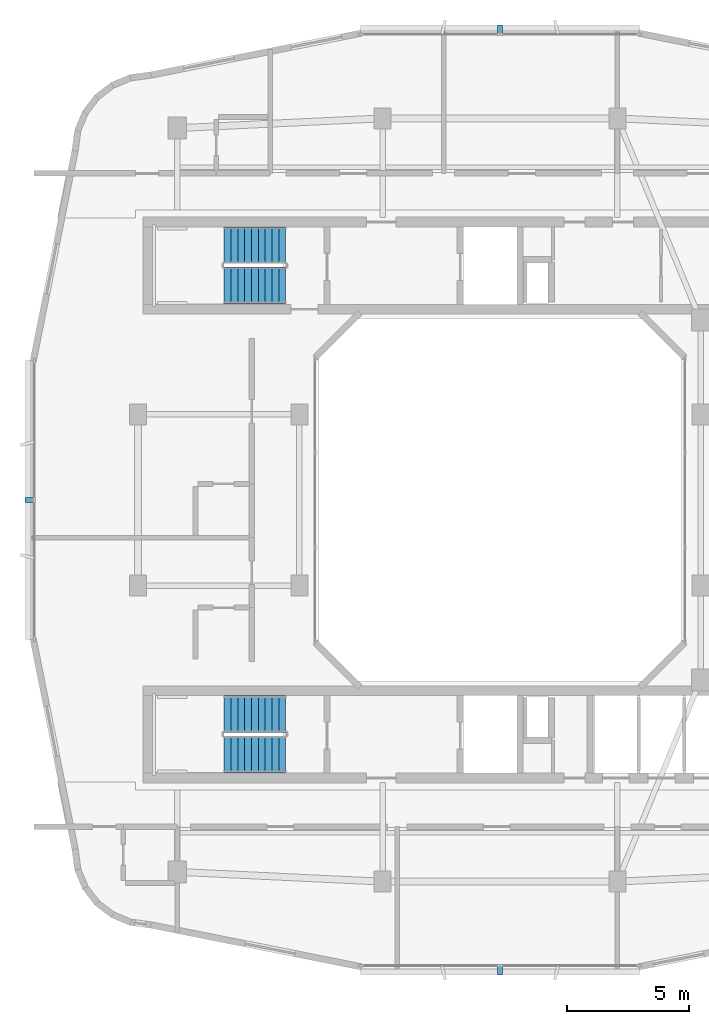
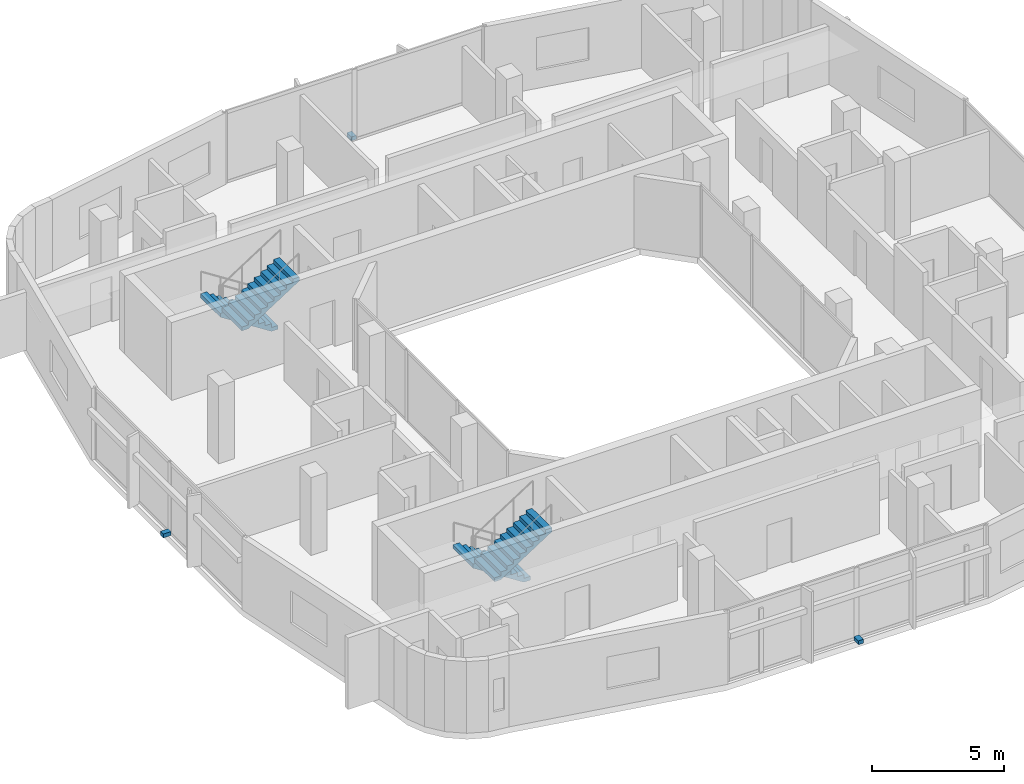
# One storey, part 10 of 14: 4 stair flights, 3 discrete accessories, 2 elements without a shape of their own.
"""IFC4 building model written with IfcOpenShell, lengths in metres."""

from ifc_helpers import new_model, si_unit, derived_unit, direction, frame, origin, origin_2d, place, context, subcontext, project, spatial, polyline, rectangle, outline, extrude, material, type_object, element, aggregate, save


model = new_model("IFC4")

# Units and contexts
model_context = context("Model", 3, precision=1e-05, world=origin(), true_north=direction((0.0, 1.0)))
body_context = subcontext(model_context, "Body", "Model", "MODEL_VIEW")
ifc_project = project(units=[si_unit("LENGTHUNIT", "METRE"), si_unit("AREAUNIT", "SQUARE_METRE"), si_unit("VOLUMEUNIT", "CUBIC_METRE"), si_unit("PLANEANGLEUNIT", "RADIAN"), si_unit("MASSUNIT", "GRAM", prefix="KILO"), derived_unit("THERMALTRANSMITTANCEUNIT", [(si_unit("POWERUNIT", "WATT"), 1), (si_unit("LENGTHUNIT", "METRE"), -2), (si_unit("THERMODYNAMICTEMPERATUREUNIT", "KELVIN"), -1)])], contexts=[model_context])

# Site, building, storey
site_placement = place(None, origin())
site = spatial("IfcSite", under=ifc_project, at=site_placement, CompositionType="ELEMENT")
building_placement = place(site_placement, origin())
building = spatial("IfcBuilding", under=site, at=building_placement, Name="Kivonza Crest Hotel", CompositionType="ELEMENT")
storey_placement = place(building_placement, frame((0.0, 0.0, 209.89990234375)))
storey = spatial("IfcBuildingStorey", under=building, at=storey_placement, Name="L57", CompositionType="ELEMENT", Elevation=209.89990234375)

# Stair, stair flights
ifc_material_1 = material(Name="Concrete C40/50", Category="concrete")
stair_type = type_object("IfcStairType", Name="ST-DL-20R", PredefinedType="HALF_TURN_STAIR", material=ifc_material_1)
stair_1_placement = place(storey_placement, origin())
stair_1 = element("IfcStair", 1, at=stair_1_placement, inside=storey, type_object=stair_type, Name="L57 Protected Exit Stair ST-T1-N", PredefinedType="HALF_TURN_STAIR")
stair_flight_type = type_object("IfcStairFlightType", Name="SFL-RC-10R", PredefinedType="STRAIGHT", material=ifc_material_1)
stair_flight_1_placement = place(storey_placement, frame((12.239990234375, 35.409912109375, 0.0), z_axis=(0.0, 0.0, 1.0), x_axis=(-1.0, 0.0, 0.0)))
stair_flight_1 = element("IfcStairFlight", 2, at=stair_flight_1_placement, type_object=stair_flight_type, Name="ST-T1-N flight 1", NumberOfRisers=10, NumberOfTreads=9, PredefinedType="STRAIGHT", RiserHeight=0.18, TreadLength=0.28, context=body_context, shape_type="SweptSolid", body=[
    extrude(outline(polyline([(0.0, 0.0), (0.0, 0.179931640625), (0.280029296875, 0.179931640625), (0.280029296875, 0.360107421875), (0.56005859375, 0.360107421875), (0.56005859375, 0.5400390625), (0.840087890625, 0.5400390625), (0.840087890625, 0.719970703125), (1.1201171875, 0.719970703125), (1.1201171875, 0.89990234375), (1.39990234375, 0.89990234375), (1.39990234375, 1.080078125), (1.679931640625, 1.080078125), (1.679931640625, 1.260009765625), (1.9599609375, 1.260009765625), (1.9599609375, 1.43994140625), (2.239990234375, 1.43994140625), (2.239990234375, 1.6201171875), (2.52001953125, 1.6201171875), (2.52001953125, 1.800048828125), (2.52001953125, 1.44189453125), (0.277099609375, 0.0), (0.0, 0.0)])), frame((0.0, 0.75, 0.0), z_axis=(0.0, -1.0, 0.0), x_axis=(1.0, 0.0, 0.0)), (0.0, 0.0, 1.0), 1.5),
])
stair_flight_2_placement = place(storey_placement, frame((9.719970703125, 33.77001953125, 1.800048828125), z_axis=(0.0, 0.0, 1.0), x_axis=(1.0, 0.0, 0.0)))
stair_flight_2 = element("IfcStairFlight", 3, at=stair_flight_2_placement, type_object=stair_flight_type, Name="ST-T1-N flight 2", NumberOfRisers=10, NumberOfTreads=9, PredefinedType="STRAIGHT", RiserHeight=0.18, TreadLength=0.28, context=body_context, shape_type="SweptSolid", body=[
    extrude(outline(polyline([(0.0, 0.0), (0.0, 0.179931640625), (0.280029296875, 0.179931640625), (0.280029296875, 0.360107421875), (0.56005859375, 0.360107421875), (0.56005859375, 0.5400390625), (0.840087890625, 0.5400390625), (0.840087890625, 0.719970703125), (1.1201171875, 0.719970703125), (1.1201171875, 0.89990234375), (1.39990234375, 0.89990234375), (1.39990234375, 1.080078125), (1.679931640625, 1.080078125), (1.679931640625, 1.260009765625), (1.9599609375, 1.260009765625), (1.9599609375, 1.43994140625), (2.239990234375, 1.43994140625), (2.239990234375, 1.6201171875), (2.52001953125, 1.6201171875), (2.52001953125, 1.800048828125), (2.52001953125, 1.44189453125), (0.277099609375, 0.0), (0.0, 0.0)])), frame((0.0, 0.75, 0.0), z_axis=(0.0, -1.0, 0.0), x_axis=(1.0, 0.0, 0.0)), (0.0, 0.0, 1.0), 1.5),
])
aggregate(stair_1, [stair_flight_1, stair_flight_2])

stair_2_placement = place(storey_placement, origin())
stair_2 = element("IfcStair", 4, at=stair_2_placement, inside=storey, type_object=stair_type, Name="L57 Protected Exit Stair ST-T1-S", PredefinedType="HALF_TURN_STAIR")
stair_flight_3_placement = place(storey_placement, frame((12.239990234375, 16.25, 0.0), z_axis=(0.0, 0.0, 1.0), x_axis=(-1.0, 0.0, 0.0)))
stair_flight_3 = element("IfcStairFlight", 5, at=stair_flight_3_placement, type_object=stair_flight_type, Name="ST-T1-S flight 1", NumberOfRisers=10, NumberOfTreads=9, PredefinedType="STRAIGHT", RiserHeight=0.18, TreadLength=0.28, context=body_context, shape_type="SweptSolid", body=[
    extrude(outline(polyline([(0.0, 0.0), (0.0, 0.179931640625), (0.280029296875, 0.179931640625), (0.280029296875, 0.360107421875), (0.56005859375, 0.360107421875), (0.56005859375, 0.5400390625), (0.840087890625, 0.5400390625), (0.840087890625, 0.719970703125), (1.1201171875, 0.719970703125), (1.1201171875, 0.89990234375), (1.39990234375, 0.89990234375), (1.39990234375, 1.080078125), (1.679931640625, 1.080078125), (1.679931640625, 1.260009765625), (1.9599609375, 1.260009765625), (1.9599609375, 1.43994140625), (2.239990234375, 1.43994140625), (2.239990234375, 1.6201171875), (2.52001953125, 1.6201171875), (2.52001953125, 1.800048828125), (2.52001953125, 1.44189453125), (0.277099609375, 0.0), (0.0, 0.0)])), frame((0.0, 0.75, 0.0), z_axis=(0.0, -1.0, 0.0), x_axis=(1.0, 0.0, 0.0)), (0.0, 0.0, 1.0), 1.5),
])
stair_flight_4_placement = place(storey_placement, frame((9.719970703125, 14.610107421875, 1.800048828125), z_axis=(0.0, 0.0, 1.0), x_axis=(1.0, 0.0, 0.0)))
stair_flight_4 = element("IfcStairFlight", 6, at=stair_flight_4_placement, type_object=stair_flight_type, Name="ST-T1-S flight 2", NumberOfRisers=10, NumberOfTreads=9, PredefinedType="STRAIGHT", RiserHeight=0.18, TreadLength=0.28, context=body_context, shape_type="SweptSolid", body=[
    extrude(outline(polyline([(0.0, 0.0), (0.0, 0.179931640625), (0.280029296875, 0.179931640625), (0.280029296875, 0.360107421875), (0.56005859375, 0.360107421875), (0.56005859375, 0.5400390625), (0.840087890625, 0.5400390625), (0.840087890625, 0.719970703125), (1.1201171875, 0.719970703125), (1.1201171875, 0.89990234375), (1.39990234375, 0.89990234375), (1.39990234375, 1.080078125), (1.679931640625, 1.080078125), (1.679931640625, 1.260009765625), (1.9599609375, 1.260009765625), (1.9599609375, 1.43994140625), (2.239990234375, 1.43994140625), (2.239990234375, 1.6201171875), (2.52001953125, 1.6201171875), (2.52001953125, 1.800048828125), (2.52001953125, 1.44189453125), (0.277099609375, 0.0), (0.0, 0.0)])), frame((0.0, 0.75, 0.0), z_axis=(0.0, -1.0, 0.0), x_axis=(1.0, 0.0, 0.0)), (0.0, 0.0, 1.0), 1.5),
])
aggregate(stair_2, [stair_flight_3, stair_flight_4])

# Discrete accessories
ifc_material_2 = material(Name="Stainless steel 316", Category="steel")
discrete_accessory_type = type_object("IfcDiscreteAccessoryType", Name="AC-BRACKET-240", PredefinedType="BRACKET", material=ifc_material_2)
for number, where, z_axis, x_axis, name in (
    (7, (21.0, 5.760009765625, -0.009765625), (0.0, 0.0, 1.0), (1.0, 0.0, 0.0), "L57 terracotta baguette support bracket CW-T1-L57-08"),
    (8, (21.0, 44.239990234375, -0.009765625), (0.0, 0.0, 1.0), (-1.0, 0.0, 0.0), "L57 terracotta baguette support bracket CW-T1-L57-26"),
    (9, (1.760009765625, 25.0, -0.009765625), (0.0, 0.0, 1.0), (0.0, -1.0, 0.0), "L57 terracotta baguette support bracket CW-T1-L57-35"),
):
    element("IfcDiscreteAccessory", number, at=place(storey_placement, frame(where, z_axis=z_axis, x_axis=x_axis)), inside=storey, type_object=discrete_accessory_type, Name=name, PredefinedType="BRACKET", context=body_context, shape_type="SweptSolid", body=[
        extrude(rectangle(XDim=0.219970703125, YDim=0.340087890625, at=origin_2d()), origin(), (0.0, 0.0, 1.0), 0.179931640625),
    ])

save(model, "model.ifc")
